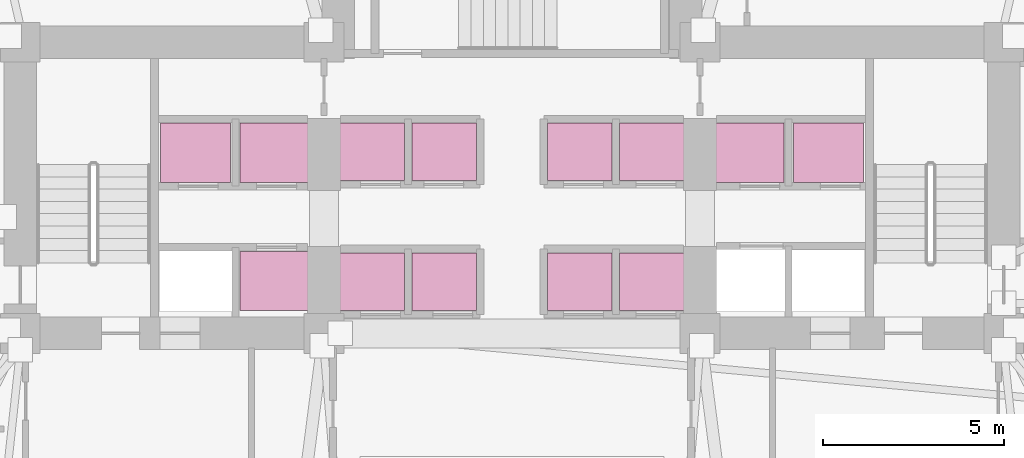
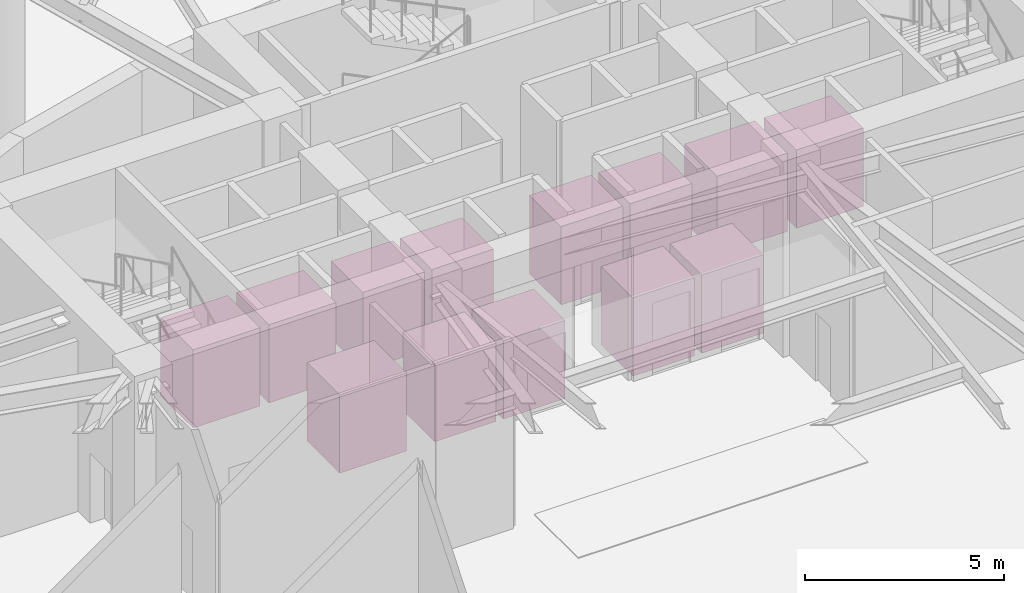
# One storey, part 21 of 21: 13 transport elements.
"""IFC4 building model written with IfcOpenShell, lengths in metres."""

from ifc_helpers import new_model, si_unit, direction, frame, origin, origin_2d, place, context, subcontext, project, spatial, rectangle, extrude, material, type_object, element, save


model = new_model("IFC4")

# Units and contexts
model_context = context("Model", 3, precision=1e-05, world=origin(), true_north=direction((0.0, 1.0)))
body_context = subcontext(model_context, "Body", "Model", "MODEL_VIEW")
ifc_project = project(units=[si_unit("LENGTHUNIT", "METRE"), si_unit("AREAUNIT", "SQUARE_METRE"), si_unit("VOLUMEUNIT", "CUBIC_METRE"), si_unit("PLANEANGLEUNIT", "RADIAN"), si_unit("MASSUNIT", "GRAM", prefix="KILO")], contexts=[model_context])

# Site, building, storey
site_placement = place(None, origin())
site = spatial("IfcSite", under=ifc_project, at=site_placement, CompositionType="ELEMENT")
building_placement = place(site_placement, origin())
building = spatial("IfcBuilding", under=site, at=building_placement, Name="Keldmark Tower", CompositionType="ELEMENT")
storey_placement = place(building_placement, origin())
storey = spatial("IfcBuildingStorey", under=building, at=storey_placement, Name="L00", CompositionType="ELEMENT", Elevation=0.0)

# Transport elements
ifc_material_1 = material(Name="Brushed Architectural Metal Cab Assembly", Category="metal")
transport_element_type_1 = type_object("IfcTransportElementType", Name="Express Observation Shuttle Elevator 1800 kg", PredefinedType="ELEVATOR", material=ifc_material_1)
transport_element_1_placement = place(storey_placement, frame((6.5, 6.39990234375, 0.0), z_axis=(0.0, 0.0, 1.0), x_axis=(1.0, 0.0, 0.0)))
element("IfcTransportElement", 1, at=transport_element_1_placement, inside=storey, type_object=transport_element_type_1, Name="Lift EL-OB1", PredefinedType="ELEVATOR", context=body_context, shape_type="SweptSolid", body=[
    extrude(rectangle(XDim=2.0400390625, YDim=1.639892578125, at=origin_2d()), origin(), (0.0, 0.0, 1.0), 2.39990234375),
])
transport_element_2_placement = place(storey_placement, frame((8.75, 6.39990234375, 0.0), z_axis=(0.0, 0.0, 1.0), x_axis=(1.0, 0.0, 0.0)))
element("IfcTransportElement", 2, at=transport_element_2_placement, inside=storey, type_object=transport_element_type_1, Name="Lift EL-OB2", PredefinedType="ELEVATOR", context=body_context, shape_type="SweptSolid", body=[
    extrude(rectangle(XDim=1.93994140625, YDim=1.639892578125, at=origin_2d()), origin(), (0.0, 0.0, 1.0), 2.39990234375),
])
ifc_material_2 = material(Name="Brushed Architectural Metal Cab Assembly", Category="metal")
transport_element_type_2 = type_object("IfcTransportElementType", Name="Passenger Gearless Traction Elevator 1600 kg", PredefinedType="ELEVATOR", material=ifc_material_2)
for number, where, z_axis, x_axis, name in (
    (3, (-3.875, 2.824951171875, 0.0), (0.0, 0.0, 1.0), (1.0, 0.0, 0.0), "Lift EL-L1"),
    (4, (-1.875, 2.824951171875, 0.0), (0.0, 0.0, 1.0), (1.0, 0.0, 0.0), "Lift EL-L2"),
    (5, (1.875, 2.824951171875, 0.0), (0.0, 0.0, 1.0), (1.0, 0.0, 0.0), "Lift EL-L3"),
    (6, (3.875, 2.824951171875, 0.0), (0.0, 0.0, 1.0), (1.0, 0.0, 0.0), "Lift EL-L4"),
    (7, (-3.875, 6.425048828125, 0.0), (0.0, 0.0, 1.0), (1.0, 0.0, 0.0), "Lift EL-M1"),
    (8, (-1.875, 6.425048828125, 0.0), (0.0, 0.0, 1.0), (1.0, 0.0, 0.0), "Lift EL-M2"),
    (9, (1.875, 6.425048828125, 0.0), (0.0, 0.0, 1.0), (1.0, 0.0, 0.0), "Lift EL-M3"),
    (10, (3.875, 6.425048828125, 0.0), (0.0, 0.0, 1.0), (1.0, 0.0, 0.0), "Lift EL-M4"),
):
    element("IfcTransportElement", number, at=place(storey_placement, frame(where, z_axis=z_axis, x_axis=x_axis)), inside=storey, type_object=transport_element_type_2, Name=name, PredefinedType="ELEVATOR", context=body_context, shape_type="SweptSolid", body=[
        extrude(rectangle(XDim=1.7900390625, YDim=1.590087890625, at=origin_2d()), origin(), (0.0, 0.0, 1.0), 2.39990234375),
    ])
for number, where, z_axis, x_axis, name in (
    (11, (-8.75, 6.39990234375, 0.0), (0.0, 0.0, 1.0), (1.0, 0.0, 0.0), "Lift EL-H1"),
    (12, (-6.550048828125, 6.39990234375, 0.0), (0.0, 0.0, 1.0), (1.0, 0.0, 0.0), "Lift EL-H2"),
    (13, (-6.550048828125, 2.85009765625, 0.0), (0.0, 0.0, 1.0), (1.0, 0.0, 0.0), "Lift EL-H3"),
):
    element("IfcTransportElement", number, at=place(storey_placement, frame(where, z_axis=z_axis, x_axis=x_axis)), inside=storey, type_object=transport_element_type_2, Name=name, PredefinedType="ELEVATOR", context=body_context, shape_type="SweptSolid", body=[
        extrude(rectangle(XDim=1.93994140625, YDim=1.639892578125, at=origin_2d()), origin(), (0.0, 0.0, 1.0), 2.39990234375),
    ])

save(model, "model.ifc")
